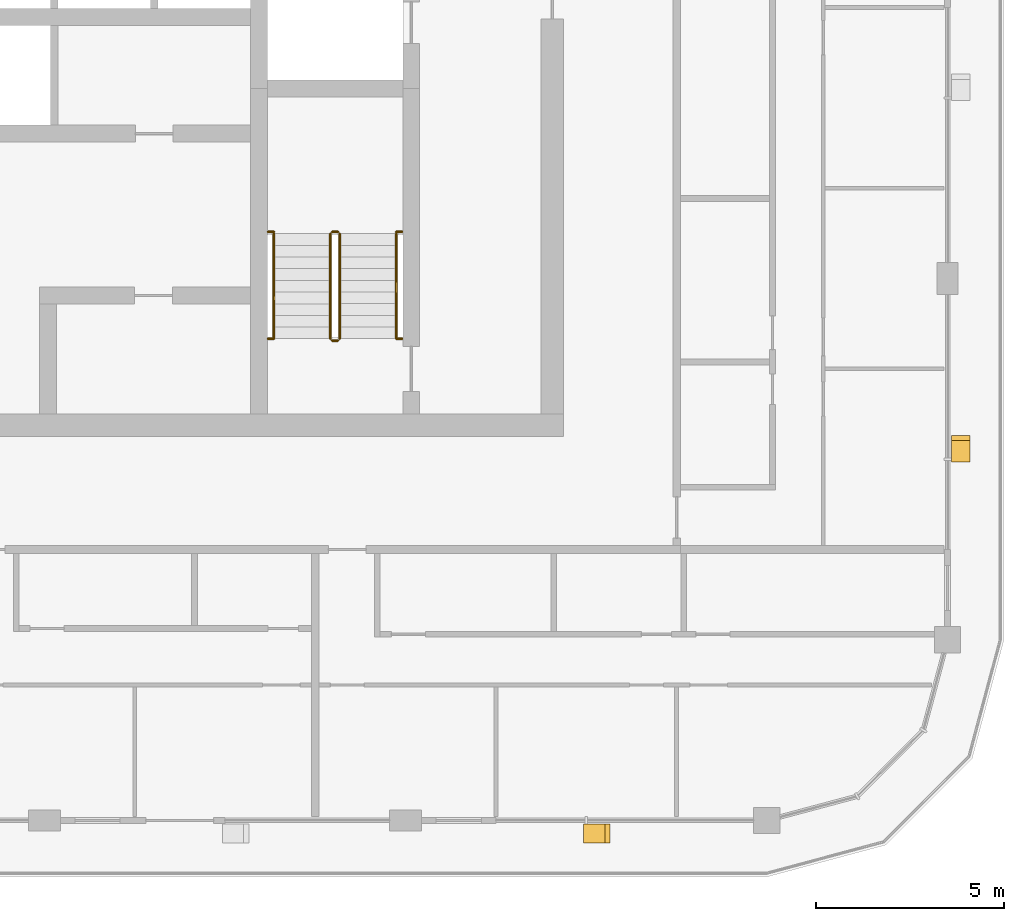
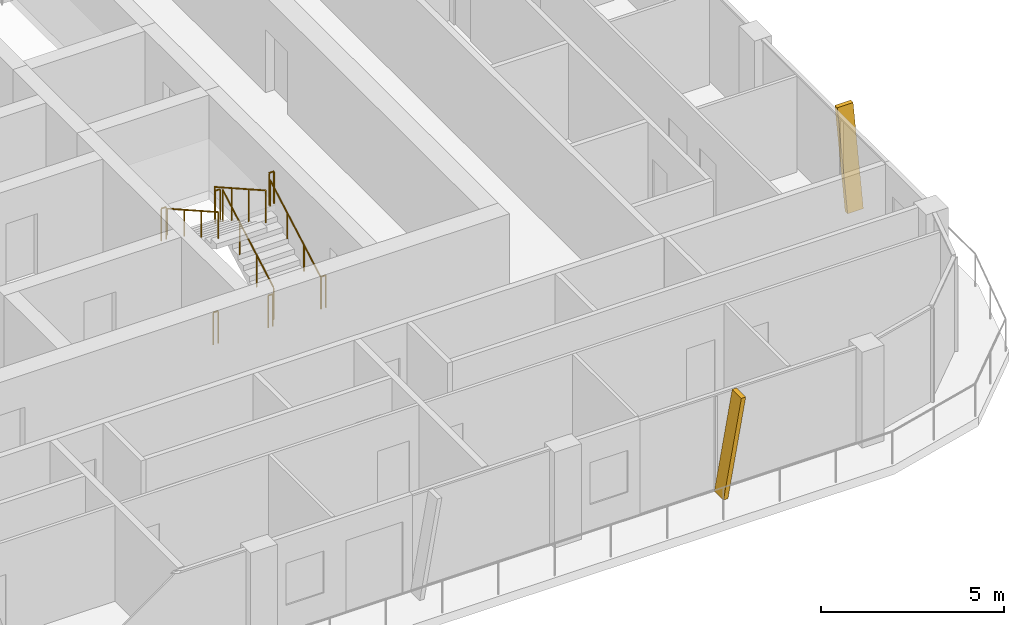
# One storey, part 18 of 21: 10 railings, 2 shading devices.
"""IFC4 building model written with IfcOpenShell, lengths in metres."""

from ifc_helpers import new_model, si_unit, direction, frame, origin, origin_2d, place, context, subcontext, project, spatial, polyline, circle, outline, extrude, material, type_object, element, save


model = new_model("IFC4")

# Units and contexts
model_context = context("Model", 3, precision=1e-05, world=origin(), true_north=direction((0.0, 1.0)))
body_context = subcontext(model_context, "Body", "Model", "MODEL_VIEW")
ifc_project = project(units=[si_unit("LENGTHUNIT", "METRE"), si_unit("AREAUNIT", "SQUARE_METRE"), si_unit("VOLUMEUNIT", "CUBIC_METRE"), si_unit("PLANEANGLEUNIT", "RADIAN"), si_unit("MASSUNIT", "GRAM", prefix="KILO")], contexts=[model_context])

# Site, building, storey
site_placement = place(None, origin())
site = spatial("IfcSite", under=ifc_project, at=site_placement, CompositionType="ELEMENT")
building_placement = place(site_placement, origin())
building = spatial("IfcBuilding", under=site, at=building_placement, Name="Madar Terraces", CompositionType="ELEMENT")
storey_placement = place(building_placement, frame((0.0, 0.0, 242.199951171875)))
storey = spatial("IfcBuildingStorey", under=building, at=storey_placement, Name="L63", CompositionType="ELEMENT", Elevation=242.199951171875)

# Shading devices
ifc_material_1 = material(Name="Aluminium, black anodised", Category="aluminium")
shading_device_type = type_object("IfcShadingDeviceType", Name="Facade fin blade 140 x 500", PredefinedType="USERDEFINED", material=ifc_material_1)
shading_device_1_placement = place(storey_placement, frame((47.929931640625, 4.449951171875, 0.0), z_axis=(0.0, 0.0, 1.0), x_axis=(1.0, 0.0, 0.0)))
element("IfcShadingDevice", 1, at=shading_device_1_placement, inside=storey, type_object=shading_device_type, Name="FIN L63 S5", ObjectType="FIN", PredefinedType="USERDEFINED", context=body_context, shape_type="SweptSolid", body=[
    extrude(outline(polyline([(0.0, 0.0), (0.14013671875, 0.0), (0.704345703125, 3.199951171875), (0.564208984375, 3.199951171875), (0.0, 0.0)])), frame((0.0, 0.25, 0.0), z_axis=(0.0, -1.0, 0.0), x_axis=(1.0, 0.0, 0.0)), (0.0, 0.0, 1.0), 0.5),
])
shading_device_2_placement = place(storey_placement, frame((57.949951171875, 14.330078125, 0.0), z_axis=(0.0, 0.0, 1.0), x_axis=(0.0, 1.0, 0.0)))
element("IfcShadingDevice", 2, at=shading_device_2_placement, inside=storey, type_object=shading_device_type, Name="FIN L63 E1", ObjectType="FIN", PredefinedType="USERDEFINED", context=body_context, shape_type="SweptSolid", body=[
    extrude(outline(polyline([(0.0, 0.0), (0.139892578125, 0.0), (0.704345703125, 3.199951171875), (0.564208984375, 3.199951171875), (0.0, 0.0)])), frame((0.0, 0.25, 0.0), z_axis=(0.0, -1.0, 0.0), x_axis=(1.0, 0.0, 0.0)), (0.0, 0.0, 1.0), 0.5),
])

# Railings
ifc_material_2 = material(Name="Stainless steel railing", Category="steel")
railing_type_1 = type_object("IfcRailingType", Name="Stair guard 1100", PredefinedType="GUARDRAIL", material=ifc_material_2)
railing_1_placement = place(storey_placement, frame((41.449951171875, 17.60009765625, 0.175048828125)))
element("IfcRailing", 3, at=railing_1_placement, inside=storey, type_object=railing_type_1, Name="L63 ST3 stair guard 1", PredefinedType="GUARDRAIL", context=body_context, shape_type="SweptSolid", body=[
    extrude(circle(Radius=0.02392578125, at=origin_2d()), frame((0.0, 0.0, 1.076171875), z_axis=(0.0, 0.870815363784, 0.491610213684), x_axis=(-1.0, 0.0, 0.0)), (0.0, 0.0, 1.0), 3.20361328125),
    extrude(circle(Radius=0.02099609375, at=origin_2d()), origin(), (0.0, 0.0, 1.0), 1.052001953125),
    extrude(circle(Radius=0.02099609375, at=origin_2d()), frame((0.0, 0.929931640625, 0.52490234375)), (0.0, 0.0, 1.0), 1.052001953125),
    extrude(circle(Radius=0.02099609375, at=origin_2d()), frame((0.0, 1.85986328125, 1.050048828125)), (0.0, 0.0, 1.0), 1.052001953125),
    extrude(circle(Radius=0.02099609375, at=origin_2d()), frame((0.0, 2.789794921875, 1.574951171875)), (0.0, 0.0, 1.0), 1.052001953125),
])
railing_2_placement = place(storey_placement, frame((41.39990234375, 20.43994140625, 1.75)))
element("IfcRailing", 4, at=railing_2_placement, inside=storey, type_object=railing_type_1, Name="L63 ST3 stair guard 2", PredefinedType="GUARDRAIL", context=body_context, shape_type="SweptSolid", body=[
    extrude(circle(Radius=0.02392578125, at=origin_2d()), frame((0.0, 0.0, 1.076171875), z_axis=(-1.0, 0.0, 0.0), x_axis=(0.0, -1.0, 0.0)), (0.0, 0.0, 1.0), 0.14990234375),
    extrude(circle(Radius=0.02099609375, at=origin_2d()), origin(), (0.0, 0.0, 1.0), 1.052001953125),
    extrude(circle(Radius=0.02099609375, at=origin_2d()), frame((-0.14990234375, 0.0, 0.0)), (0.0, 0.0, 1.0), 1.052001953125),
])
railing_3_placement = place(storey_placement, frame((41.199951171875, 20.389892578125, 1.925048828125)))
element("IfcRailing", 5, at=railing_3_placement, inside=storey, type_object=railing_type_1, Name="L63 ST3 stair guard 3", PredefinedType="GUARDRAIL", context=body_context, shape_type="SweptSolid", body=[
    extrude(circle(Radius=0.02392578125, at=origin_2d()), frame((0.0, 0.0, 1.076171875), z_axis=(0.0, -0.870815363784, 0.491610213684), x_axis=(1.0, 0.0, 0.0)), (0.0, 0.0, 1.0), 3.20361328125),
    extrude(circle(Radius=0.02099609375, at=origin_2d()), origin(), (0.0, 0.0, 1.0), 1.052001953125),
    extrude(circle(Radius=0.02099609375, at=origin_2d()), frame((0.0, -0.929931640625, 0.52490234375)), (0.0, 0.0, 1.0), 1.052001953125),
    extrude(circle(Radius=0.02099609375, at=origin_2d()), frame((0.0, -1.85986328125, 1.050048828125)), (0.0, 0.0, 1.0), 1.052001953125),
    extrude(circle(Radius=0.02099609375, at=origin_2d()), frame((0.0, -2.789794921875, 1.574951171875)), (0.0, 0.0, 1.0), 1.052001953125),
])
railing_4_placement = place(storey_placement, frame((41.39990234375, 17.550048828125, 0.0)))
element("IfcRailing", 6, at=railing_4_placement, inside=storey, type_object=railing_type_1, Name="L63 ST3 stair guard 4", PredefinedType="GUARDRAIL", context=body_context, shape_type="SweptSolid", body=[
    extrude(circle(Radius=0.02392578125, at=origin_2d()), frame((0.0, 0.0, 1.076171875), z_axis=(-1.0, 0.0, 0.0), x_axis=(0.0, -1.0, 0.0)), (0.0, 0.0, 1.0), 0.14990234375),
    extrude(circle(Radius=0.02099609375, at=origin_2d()), origin(), (0.0, 0.0, 1.0), 1.052001953125),
    extrude(circle(Radius=0.02099609375, at=origin_2d()), frame((-0.14990234375, 0.0, 0.0)), (0.0, 0.0, 1.0), 1.052001953125),
])
for number, where, name in (
    (7, (39.544921875, 20.43994140625, 1.75), "L63 stair guard seat 1"),
    (8, (42.949951171875, 20.43994140625, 1.75), "L63 stair guard seat 2"),
    (9, (39.544921875, 17.60009765625, 0.0), "L63 stair guard floor 1"),
    (10, (42.949951171875, 17.60009765625, 0.0), "L63 stair guard floor 2"),
):
    element("IfcRailing", number, at=place(storey_placement, frame(where)), inside=storey, type_object=railing_type_1, Name=name, PredefinedType="GUARDRAIL", context=body_context, shape_type="SweptSolid", body=[
        extrude(circle(Radius=0.02392578125, at=origin_2d()), frame((0.0, 0.0, 1.076171875), z_axis=(1.0, 0.0, 0.0), x_axis=(0.0, 1.0, 0.0)), (0.0, 0.0, 1.0), 0.155029296875),
        extrude(circle(Radius=0.02099609375, at=origin_2d()), origin(), (0.0, 0.0, 1.0), 1.052001953125),
        extrude(circle(Radius=0.02099609375, at=origin_2d()), frame((0.155029296875, 0.0, 0.0)), (0.0, 0.0, 1.0), 1.052001953125),
    ])
ifc_material_3 = material(Name="Stainless steel railing", Category="steel")
railing_type_2 = type_object("IfcRailingType", Name="Stair handrail 900", PredefinedType="HANDRAIL", material=ifc_material_3)
railing_5_placement = place(storey_placement, frame((42.949951171875, 17.60009765625, 0.175048828125)))
element("IfcRailing", 11, at=railing_5_placement, inside=storey, type_object=railing_type_2, Name="L63 ST3 stair handrail 1", PredefinedType="HANDRAIL", context=body_context, shape_type="SweptSolid", body=[
    extrude(circle(Radius=0.02392578125, at=origin_2d()), frame((0.0, 0.0, 0.8759765625), z_axis=(0.0, 0.870815363784, 0.491610213684), x_axis=(-1.0, 0.0, 0.0)), (0.0, 0.0, 1.0), 3.20361328125),
    extrude(circle(Radius=0.02099609375, at=origin_2d()), origin(), (0.0, 0.0, 1.0), 0.851806640625),
    extrude(circle(Radius=0.02099609375, at=origin_2d()), frame((0.0, 0.929931640625, 0.52490234375)), (0.0, 0.0, 1.0), 0.851806640625),
    extrude(circle(Radius=0.02099609375, at=origin_2d()), frame((0.0, 1.85986328125, 1.050048828125)), (0.0, 0.0, 1.0), 0.851806640625),
    extrude(circle(Radius=0.02099609375, at=origin_2d()), frame((0.0, 2.789794921875, 1.574951171875)), (0.0, 0.0, 1.0), 0.851806640625),
])
railing_6_placement = place(storey_placement, frame((39.699951171875, 20.389892578125, 1.925048828125)))
element("IfcRailing", 12, at=railing_6_placement, inside=storey, type_object=railing_type_2, Name="L63 ST3 stair handrail 2", PredefinedType="HANDRAIL", context=body_context, shape_type="SweptSolid", body=[
    extrude(circle(Radius=0.02392578125, at=origin_2d()), frame((0.0, 0.0, 0.8759765625), z_axis=(0.0, -0.870815363784, 0.491610213684), x_axis=(1.0, 0.0, 0.0)), (0.0, 0.0, 1.0), 3.20361328125),
    extrude(circle(Radius=0.02099609375, at=origin_2d()), origin(), (0.0, 0.0, 1.0), 0.851806640625),
    extrude(circle(Radius=0.02099609375, at=origin_2d()), frame((0.0, -0.929931640625, 0.52490234375)), (0.0, 0.0, 1.0), 0.851806640625),
    extrude(circle(Radius=0.02099609375, at=origin_2d()), frame((0.0, -1.85986328125, 1.050048828125)), (0.0, 0.0, 1.0), 0.851806640625),
    extrude(circle(Radius=0.02099609375, at=origin_2d()), frame((0.0, -2.789794921875, 1.574951171875)), (0.0, 0.0, 1.0), 0.851806640625),
])

save(model, "model.ifc")
